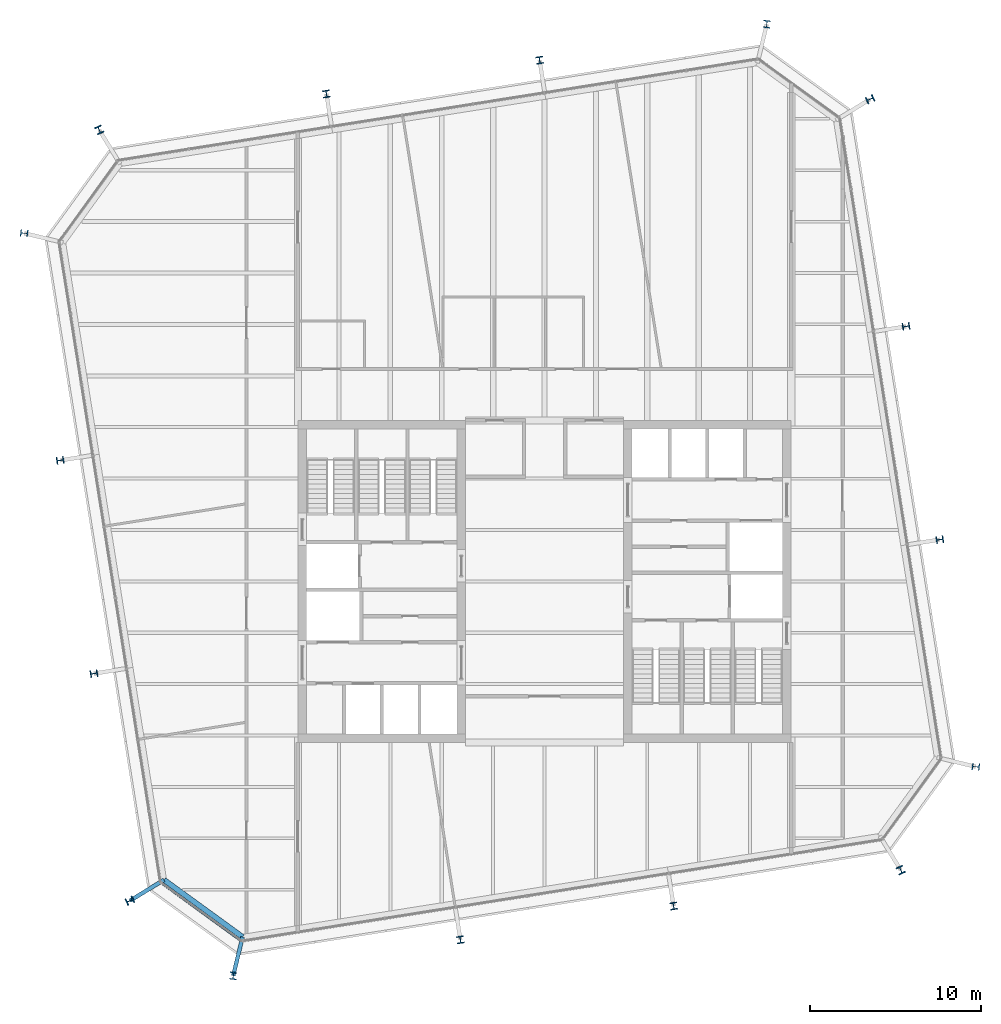
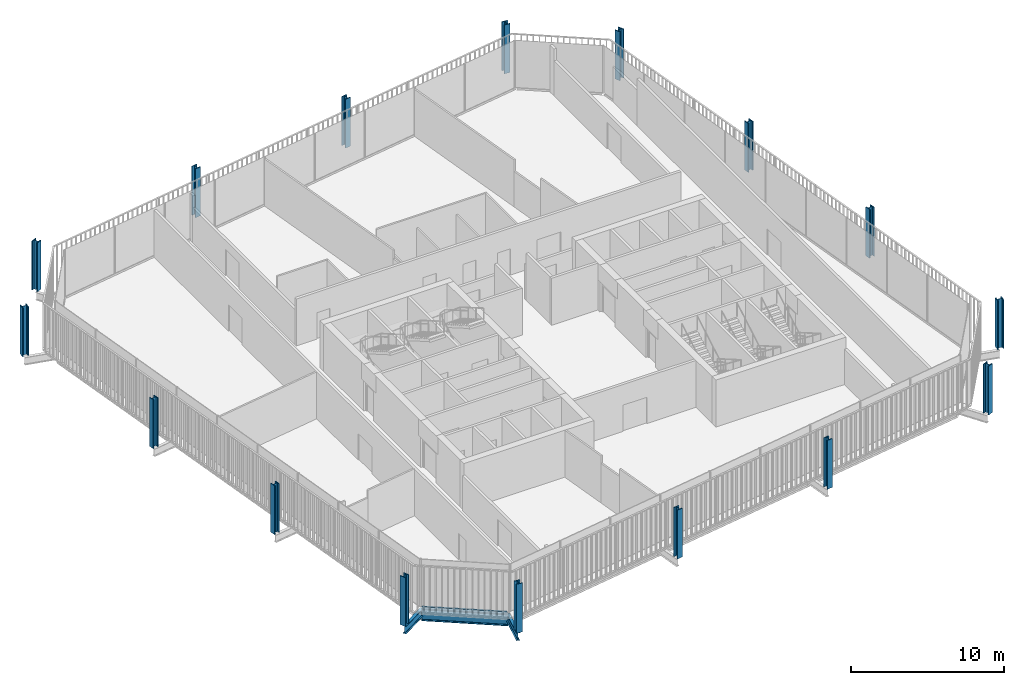
# One storey, part 1 of 20: 16 columns, 3 beams, 1 member, 1 element without a shape of its own.
"""IFC4 building model written with IfcOpenShell, lengths in metres."""

import ifcopenshell
import ifcopenshell.guid

model = None  # the IFC model being written
_history = None  # IfcOwnerHistory: only IFC2X3 demands one
_inside = {}  # id of a spatial element -> (the spatial element, [elements in it])
_under = {}  # id of a project, library or spatial element -> (it, [spatial elements below it])
_declared = {}  # id of a project -> (the project, [libraries it declares])
_typed = {}  # id of a type object -> (the type object, [elements of that type])
_made_of = {}  # id of a material, layer set ... -> (it, [elements and type objects made of it])


def new_model(schema):
    """Start an empty IFC model of exactly this schema.

    Asked for "IFC4X3", IfcOpenShell would pick the latest addendum, in which some entities
    have other attributes; the version numbers below select the first issue.
    IFC2X3 requires an IfcOwnerHistory on every rooted entity: one is made here for all.
    """
    global model, _history
    if schema == "IFC4X3":
        model = ifcopenshell.file(schema_version=(4, 3, 0, 0))
    else:
        model = ifcopenshell.file(schema=schema)
    _inside.clear()
    _under.clear()
    _declared.clear()
    _typed.clear()
    _made_of.clear()
    _history = None
    if model.schema == "IFC2X3":
        org = make("IfcOrganization", Name="unknown")
        user = make(
            "IfcPersonAndOrganization",
            ThePerson=make("IfcPerson", FamilyName="unknown"),
            TheOrganization=org,
        )
        app = make(
            "IfcApplication",
            ApplicationDeveloper=org,
            Version="unknown",
            ApplicationFullName="unknown",
            ApplicationIdentifier="unknown",
        )
        _history = make(
            "IfcOwnerHistory",
            OwningUser=user,
            OwningApplication=app,
            ChangeAction="ADDED",
            CreationDate=0,
        )
    return model


def make(cls, **values):
    """One entity of the class cls with the attributes given. An attribute that is None is left unset."""
    return model.create_entity(
        cls, **{name: value for name, value in values.items() if value is not None}
    )


def rooted(cls, **values):
    """An entity with a GlobalId (a new one), such as an element, a storey or a relation."""
    return make(cls, GlobalId=ifcopenshell.guid.new(), OwnerHistory=_history, **values)


def si_unit(unit_type, name, prefix=None):
    """IfcSIUnit, for example si_unit("LENGTHUNIT", "METRE", prefix="MILLI")."""
    return make("IfcSIUnit", UnitType=unit_type, Prefix=prefix, Name=name)


def assignment(units):
    """IfcUnitAssignment: the units of a project."""
    return None if units is None else make("IfcUnitAssignment", Units=units)


def point(xyz):
    """IfcCartesianPoint."""
    return None if xyz is None else make("IfcCartesianPoint", Coordinates=xyz)


def direction(xyz):
    """IfcDirection."""
    return None if xyz is None else make("IfcDirection", DirectionRatios=xyz)


def frame(location, z_axis=None, x_axis=None):
    """IfcAxis2Placement3D, a coordinate frame: its origin and axes. An axis left out is left unset."""
    return make(
        "IfcAxis2Placement3D",
        Location=point(location),
        Axis=direction(z_axis),
        RefDirection=direction(x_axis),
    )


def frame_2d(location, x_axis=None):
    """IfcAxis2Placement2D, a coordinate frame in the plane: its origin and x axis."""
    return make(
        "IfcAxis2Placement2D", Location=point(location), RefDirection=direction(x_axis)
    )


def origin():
    """The frame at (0, 0, 0) with its axes left unset."""
    return frame((0.0, 0.0, 0.0))


def origin_2d():
    """The frame at (0, 0) in the plane with its x axis left unset."""
    return frame_2d((0.0, 0.0))


def place(relative_to, where):
    """IfcLocalPlacement: puts the frame where relative to a parent placement (None: the world)."""
    return make(
        "IfcLocalPlacement", PlacementRelTo=relative_to, RelativePlacement=where
    )


def context(
    kind, dimensions, precision=None, world=None, true_north=None, identifier=None
):
    """IfcGeometricRepresentationContext, for example the 3D "Model" context."""
    return make(
        "IfcGeometricRepresentationContext",
        ContextIdentifier=identifier,
        ContextType=kind,
        CoordinateSpaceDimension=dimensions,
        Precision=precision,
        WorldCoordinateSystem=world,
        TrueNorth=true_north,
    )


def subcontext(parent, identifier, kind, view, scale=None):
    """IfcGeometricRepresentationSubContext, for example "Body" below "Model"."""
    return make(
        "IfcGeometricRepresentationSubContext",
        ContextIdentifier=identifier,
        ContextType=kind,
        ParentContext=parent,
        TargetScale=scale,
        TargetView=view,
    )


def project(units=None, contexts=None):
    """IfcProject with its units and contexts."""
    return rooted(
        "IfcProject",
        Name="project",
        RepresentationContexts=contexts,
        UnitsInContext=assignment(units),
    )


def spatial(cls, under=None, at=None, **own):
    """A site, building, storey or space (cls), placed at a placement, below another one or the project."""
    s = rooted(cls, ObjectPlacement=at, **own)
    if under is not None:
        _under.setdefault(under.id(), (under, []))[1].append(s)
    return s


def profile(cls, at=None, kind="AREA", **sizes):
    """A parametric profile (cls). Its sizes go by their IFC names, for example OverallWidth=200.0."""
    return make(cls, ProfileType=kind, Position=at, **sizes)


def rectangle(**sizes):
    """IfcRectangleProfileDef."""
    return profile("IfcRectangleProfileDef", **sizes)


def i_section(**sizes):
    """IfcIShapeProfileDef."""
    return profile("IfcIShapeProfileDef", **sizes)


def extrude(swept, where, along, depth):
    """IfcExtrudedAreaSolid: the profile swept, set in the frame where, extruded along a direction by depth."""
    return make(
        "IfcExtrudedAreaSolid",
        SweptArea=swept,
        Position=where,
        ExtrudedDirection=direction(along),
        Depth=depth,
    )


def shape(context_of_items, identifier, shape_type, items):
    """IfcShapeRepresentation: the items that make up one representation, for example the "Body"."""
    return make(
        "IfcShapeRepresentation",
        ContextOfItems=context_of_items,
        RepresentationIdentifier=identifier,
        RepresentationType=shape_type,
        Items=items,
    )


def material(Name=None, Category=None):
    """IfcMaterial."""
    return make("IfcMaterial", Name=Name, Category=Category)


def layer(
    of_material, thickness, ventilated=None, Name=None, Category=None, Priority=None
):
    """IfcMaterialLayer: one layer of a wall or slab, of a material (None: an air gap)."""
    return make(
        "IfcMaterialLayer",
        Material=of_material,
        LayerThickness=thickness,
        IsVentilated=ventilated,
        Name=Name,
        Category=Category,
        Priority=Priority,
    )


def layer_set(layers, Name=None):
    """IfcMaterialLayerSet."""
    return make("IfcMaterialLayerSet", MaterialLayers=layers, LayerSetName=Name)


def material_profile(
    of_material, cross_section, Name=None, Category=None, Priority=None
):
    """IfcMaterialProfile: a cross section and its material."""
    return make(
        "IfcMaterialProfile",
        Name=Name,
        Material=of_material,
        Profile=cross_section,
        Priority=Priority,
        Category=Category,
    )


def profile_set(profiles, Name=None, composite=None):
    """IfcMaterialProfileSet."""
    return make(
        "IfcMaterialProfileSet",
        Name=Name,
        MaterialProfiles=profiles,
        CompositeProfile=composite,
    )


def made_of(thing, what):
    """Note that an element or type object is made of a material, layer set ...; save() writes the relation."""
    if what is not None:
        _made_of.setdefault(what.id(), (what, []))[1].append(thing)
    return thing


def type_object(cls, material=None, **own):
    """A type object (cls), such as IfcWallType, which elements share."""
    return made_of(rooted(cls, **own), material)


def element(
    cls,
    number,
    at=None,
    inside=None,
    cuts=None,
    type_object=None,
    material=None,
    context=None,
    identifier="Body",
    shape_type=None,
    held_by="IfcProductDefinitionShape",
    body=None,
    shapes=None,
    **own,
):
    """One element of the class cls, such as IfcWall. Its Tag is "e" and its number.

    at: its placement. inside: the storey or other place that contains it. cuts: it is an
    opening in that element (IfcRelVoidsElement). A single representation is given by context,
    identifier, shape_type and body (its items); several are given by shapes. held_by: the class
    of the entity that holds the representations. save() writes the other relations.
    """
    e = rooted(cls, Tag="e%d" % number, ObjectPlacement=at, **own)
    if body is not None:
        shapes = [shape(context, identifier, shape_type, body)]
    if shapes is not None:
        e.Representation = make(held_by, Representations=shapes)
    if inside is not None:
        _inside.setdefault(inside.id(), (inside, []))[1].append(e)
    if cuts is not None:
        rooted(
            "IfcRelVoidsElement", RelatingBuildingElement=cuts, RelatedOpeningElement=e
        )
    if type_object is not None:
        _typed.setdefault(type_object.id(), (type_object, []))[1].append(e)
    return made_of(e, material)


def aggregate(whole, parts):
    """IfcRelAggregates: a whole, such as a stair, and the parts it consists of."""
    return rooted("IfcRelAggregates", RelatingObject=whole, RelatedObjects=parts)


def save(model, path):
    """Write the relations noted so far, then the file.

    IfcRelAggregates (storeys below a building ...), IfcRelContainedInSpatialStructure (elements
    in a storey), IfcRelDefinesByType, IfcRelAssociatesMaterial and IfcRelDeclares: one each for
    every whole, place, type object, material and project.
    """
    for whole, parts in _under.values():
        aggregate(whole, parts)
    for where, things in _inside.values():
        rooted(
            "IfcRelContainedInSpatialStructure",
            RelatedElements=things,
            RelatingStructure=where,
        )
    for kind, things in _typed.values():
        rooted("IfcRelDefinesByType", RelatedObjects=things, RelatingType=kind)
    for what, things in _made_of.values():
        rooted("IfcRelAssociatesMaterial", RelatedObjects=things, RelatingMaterial=what)
    for by, libraries in _declared.values():
        rooted("IfcRelDeclares", RelatingContext=by, RelatedDefinitions=libraries)
    model.write(path)


model = new_model("IFC4")

# Units and contexts
model_context = context("Model", 3, precision=1e-05, world=origin(), true_north=direction((0.0, 1.0)))
body_context = subcontext(model_context, "Body", "Model", "MODEL_VIEW")
ifc_project = project(units=[si_unit("LENGTHUNIT", "METRE"), si_unit("AREAUNIT", "SQUARE_METRE"), si_unit("VOLUMEUNIT", "CUBIC_METRE"), si_unit("PLANEANGLEUNIT", "RADIAN"), si_unit("MASSUNIT", "GRAM", prefix="KILO")], contexts=[model_context])

# Site, building, storey
site_placement = place(None, origin())
site = spatial("IfcSite", under=ifc_project, at=site_placement, CompositionType="ELEMENT")
building_placement = place(site_placement, origin())
building = spatial("IfcBuilding", under=site, at=building_placement, Name="Millrace Tower", CompositionType="ELEMENT")
storey_placement = place(building_placement, frame((0.0, 0.0, 208.60009765625)))
storey = spatial("IfcBuildingStorey", under=building, at=storey_placement, Name="L47", CompositionType="ELEMENT", Elevation=208.60009765625)

# Columns
ifc_material_1 = material(Name="Steel ASTM A913 Grade 65", Category="steel")
ifc_material_profile_1 = material_profile(ifc_material_1, i_section(OverallWidth=0.408935546875, OverallDepth=0.424072265625, WebThickness=0.03271484375, FlangeThickness=0.052490234375, FilletRadius=0.01513671875, at=origin_2d()))
ifc_profile_set_1 = profile_set([ifc_material_profile_1], Name="Steel ASTM A913 Grade 65")
column_type_1 = type_object("IfcColumnType", Name="Exoskeleton column W14x283", PredefinedType="COLUMN", material=ifc_profile_set_1)
for number, where, z_axis, x_axis, name in (
    (1, (-4.91162109375, -20.927734375, 0.0), (0.0, 0.0, 1.0), (0.987688341035, 0.156434462265, 0.0), "COL-D-L47-X03"),
    (2, (7.533203125, -18.956787109375, 0.0), (0.0, 0.0, 1.0), (0.987688341035, 0.156434462265, 0.0), "COL-D-L47-X04"),
    (3, (23.07763671875, 2.4384765625, 0.0), (0.0, 0.0, 1.0), (-0.156434462265, 0.987688341035, 0.0), "COL-D-L47-X07"),
    (4, (21.106689453125, 14.88330078125, 0.0), (0.0, 0.0, 1.0), (-0.156434462265, 0.987688341035, 0.0), "COL-D-L47-X08"),
    (5, (-0.288330078125, 30.427734375, 0.0), (0.0, 0.0, 1.0), (-0.987688341035, -0.156434462265, 0.0), "COL-D-L47-X11"),
    (6, (-12.7333984375, 28.456787109375, 0.0), (0.0, 0.0, 1.0), (-0.987688341035, -0.156434462265, 0.0), "COL-D-L47-X12"),
    (7, (-28.27783203125, 7.0615234375, 0.0), (0.0, 0.0, 1.0), (0.156434462265, -0.987688341035, 0.0), "COL-D-L47-X15"),
    (8, (-26.306640625, -5.38330078125, 0.0), (0.0, 0.0, 1.0), (0.156434462265, -0.987688341035, 0.0), "COL-D-L47-X16"),
):
    element("IfcColumn", number, at=place(storey_placement, frame(where, z_axis=z_axis, x_axis=x_axis)), inside=storey, type_object=column_type_1, Name=name, PredefinedType="COLUMN", context=body_context, shape_type="SweptSolid", body=[
        extrude(i_section(OverallWidth=0.408935546875, OverallDepth=0.424072265625, WebThickness=0.03271484375, FlangeThickness=0.052490234375, FilletRadius=0.01513671875, at=origin_2d()), origin(), (0.0, 0.0, 1.0), 3.89990234375),
    ])
ifc_material_2 = material(Name="Steel ASTM A913 Grade 65", Category="steel")
ifc_material_profile_2 = material_profile(ifc_material_2, i_section(OverallWidth=0.41650390625, OverallDepth=0.444580078125, WebThickness=0.0390625, FlangeThickness=0.062744140625, FilletRadius=0.01513671875, at=origin_2d()))
ifc_profile_set_2 = profile_set([ifc_material_profile_2], Name="Steel ASTM A913 Grade 65")
column_type_2 = type_object("IfcColumnType", Name="Exoskeleton column W14x342", PredefinedType="COLUMN", material=ifc_profile_set_2)
for number, where, z_axis, x_axis, name in (
    (9, (-24.2060546875, -18.646484375, 0.0), (0.0, 0.0, 1.0), (0.418552981224, -0.908192381552, 0.0), "COL-D-L47-X01"),
    (10, (-18.174560546875, -23.0283203125, 0.0), (0.0, 0.0, 1.0), (0.993082267365, -0.117420655103, 0.0), "COL-D-L47-X02"),
    (11, (20.79638671875, -16.85595703125, 0.0), (0.0, 0.0, 1.0), (0.908192381552, 0.418552981224, 0.0), "COL-D-L47-X05"),
    (12, (25.178466796875, -10.82470703125, 0.0), (0.0, 0.0, 1.0), (0.117420655103, 0.993082267365, 0.0), "COL-D-L47-X06"),
    (13, (19.006103515625, 28.146484375, 0.0), (0.0, 0.0, 1.0), (-0.418552981224, 0.908192381552, 0.0), "COL-D-L47-X09"),
    (14, (12.974609375, 32.5283203125, 0.0), (0.0, 0.0, 1.0), (-0.993082267365, 0.117420655103, 0.0), "COL-D-L47-X10"),
    (15, (-25.996337890625, 26.35595703125, 0.0), (0.0, 0.0, 1.0), (-0.908192381552, -0.418552981224, 0.0), "COL-D-L47-X13"),
    (16, (-30.37841796875, 20.32470703125, 0.0), (0.0, 0.0, 1.0), (-0.117420655103, -0.993082267365, 0.0), "COL-D-L47-X14"),
):
    element("IfcColumn", number, at=place(storey_placement, frame(where, z_axis=z_axis, x_axis=x_axis)), inside=storey, type_object=column_type_2, Name=name, PredefinedType="COLUMN", context=body_context, shape_type="SweptSolid", body=[
        extrude(i_section(OverallWidth=0.41650390625, OverallDepth=0.444580078125, WebThickness=0.0390625, FlangeThickness=0.062744140625, FilletRadius=0.01513671875, at=origin_2d()), origin(), (0.0, 0.0, 1.0), 3.89990234375),
    ])

# Curtain wall, member
ifc_material_3 = material(Name="Aluminium and glass", Category="aluminium")
ifc_layer = layer(ifc_material_3, 0.14990234375)
ifc_layer_set = layer_set([ifc_layer], Name="Aluminium and glass")
curtain_wall_type = type_object("IfcCurtainWallType", Name="CW-1 office vision curtain wall", PredefinedType="NOTDEFINED", material=ifc_layer_set)
curtain_wall_placement = place(storey_placement, origin())
curtain_wall = element("IfcCurtainWall", 17, at=curtain_wall_placement, inside=storey, type_object=curtain_wall_type, Name="Curtain wall D-F01 L47", PredefinedType="NOTDEFINED")
ifc_material_4 = material(Name="Aluminium", Category="aluminium")
ifc_material_profile_3 = material_profile(ifc_material_4, rectangle(XDim=0.14990234375, YDim=0.139892578125, at=origin_2d()))
ifc_profile_set_3 = profile_set([ifc_material_profile_3], Name="Aluminium")
member_type = type_object("IfcMemberType", Name="CW-1 office vision curtain wall transom", PredefinedType="USERDEFINED", material=ifc_profile_set_3)
member_placement = place(storey_placement, frame((-22.323486328125, -17.634765625, 0.06982421875), z_axis=(0.809033935994, -0.587761933448, 0.0), x_axis=(0.587761933448, 0.809033935994, 0.0)))
member = element("IfcMember", 18, at=member_placement, type_object=member_type, Name="CW1 transom D-F01.1", ObjectType="TRANSOM", PredefinedType="USERDEFINED", context=body_context, shape_type="SweptSolid", body=[
    extrude(rectangle(XDim=0.14990234375, YDim=0.139892578125, at=origin_2d()), origin(), (0.0, 0.0, 1.0), 5.598388671875),
])
aggregate(curtain_wall, [member])

# Beams
ifc_material_5 = material(Name="Steel ASTM A992 Grade 50", Category="steel")
ifc_material_profile_4 = material_profile(ifc_material_5, i_section(OverallWidth=0.23046875, OverallDepth=0.6171875, WebThickness=0.01318359375, FlangeThickness=0.022216796875, FilletRadius=0.012939453125, at=origin_2d()))
ifc_profile_set_4 = profile_set([ifc_material_profile_4], Name="Steel ASTM A992 Grade 50")
beam_type_1 = type_object("IfcBeamType", Name="Link beam W24x94", PredefinedType="BEAM", material=ifc_profile_set_4)
for number, where, z_axis, x_axis, name in (
    (19, (-22.218505859375, -17.428466796875, -0.46875), (-0.852631355792, -0.522512938711, 0.0), (0.522512938711, -0.852631355792, 0.0), "LNK-D-L47-S1-01"),
    (20, (-17.63037109375, -20.76171875, -0.46875), (-0.233456138164, -0.972367333652, 0.0), (0.972367333652, -0.233456138164, 0.0), "LNK-D-L47-S1-16"),
):
    element("IfcBeam", number, at=place(storey_placement, frame(where, z_axis=z_axis, x_axis=x_axis)), inside=storey, type_object=beam_type_1, Name=name, PredefinedType="BEAM", context=body_context, shape_type="SweptSolid", body=[
        extrude(i_section(OverallWidth=0.23046875, OverallDepth=0.6171875, WebThickness=0.01318359375, FlangeThickness=0.022216796875, FilletRadius=0.012939453125, at=origin_2d()), origin(), (0.0, 0.0, 1.0), 2.3310546875),
    ])
ifc_material_6 = material(Name="Steel ASTM A992 Grade 50", Category="steel")
ifc_material_profile_5 = material_profile(ifc_material_6, i_section(OverallWidth=0.307373046875, OverallDepth=0.927001953125, WebThickness=0.01953125, FlangeThickness=0.031982421875, FilletRadius=0.01904296875, at=origin_2d()))
ifc_profile_set_5 = profile_set([ifc_material_profile_5], Name="Steel ASTM A992 Grade 50")
beam_type_2 = type_object("IfcBeamType", Name="Ring beam short span W36x194", PredefinedType="SPANDREL", material=ifc_profile_set_5)
beam_placement = place(storey_placement, frame((-17.63037109375, -20.76171875, -0.62353515625), z_axis=(-0.809035699289, 0.587759506326, 0.0), x_axis=(-0.587759506326, -0.809035699289, 0.0)))
element("IfcBeam", 21, at=beam_placement, inside=storey, type_object=beam_type_2, Name="RNG-D-L47-S1-16", PredefinedType="SPANDREL", context=body_context, shape_type="SweptSolid", body=[
    extrude(i_section(OverallWidth=0.307373046875, OverallDepth=0.927001953125, WebThickness=0.01953125, FlangeThickness=0.031982421875, FilletRadius=0.01904296875, at=origin_2d()), origin(), (0.0, 0.0, 1.0), 5.671142578125),
])

save(model, "model.ifc")
